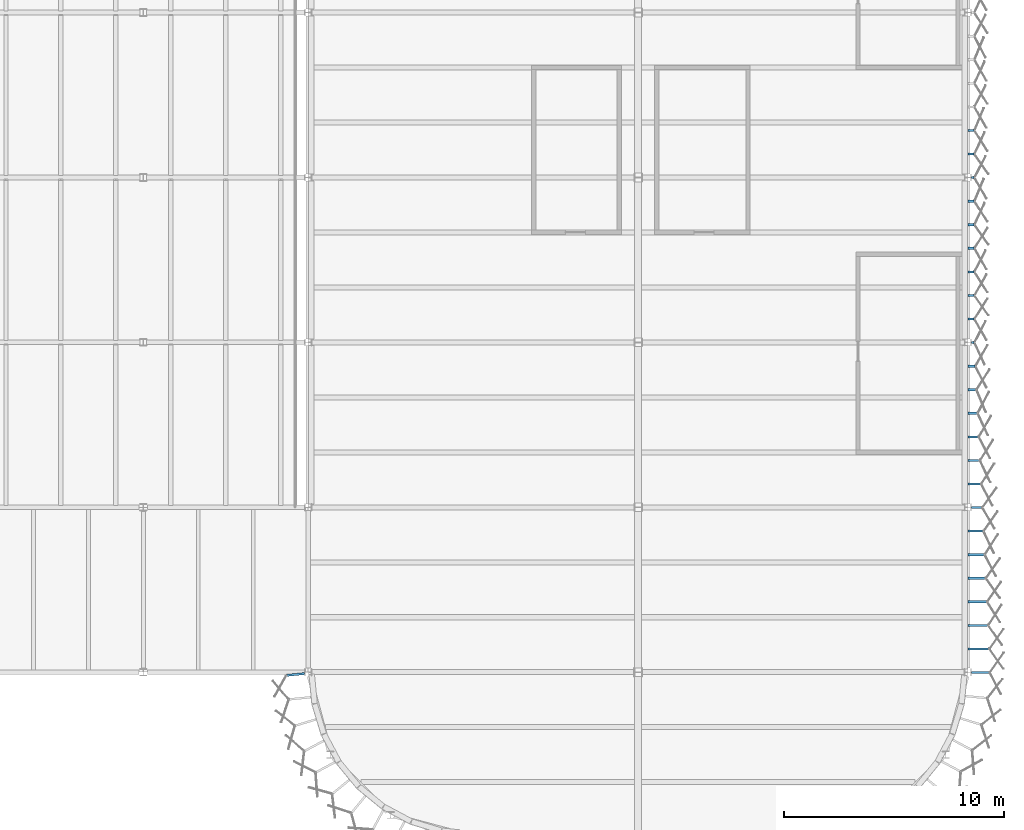
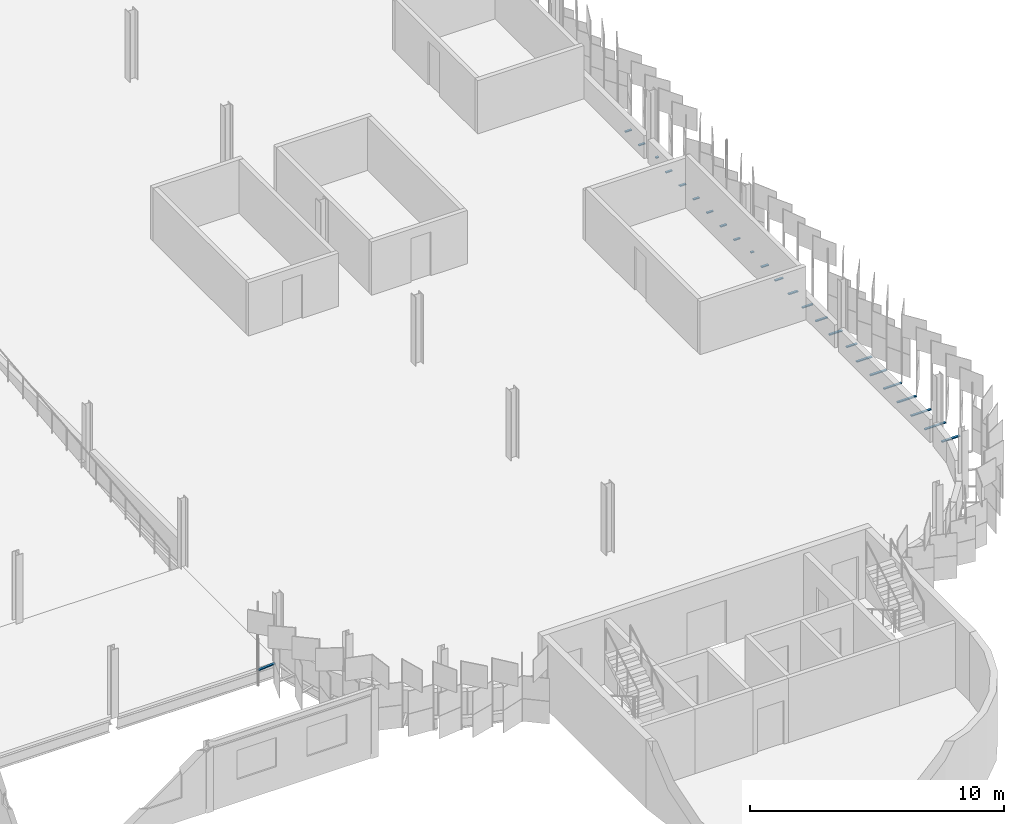
# One storey, part 167 of 198: 25 discrete accessories.
"""IFC4 building model written with IfcOpenShell, lengths in metres."""

from ifc_helpers import new_model, si_unit, direction, frame, origin, origin_2d, place, context, subcontext, project, spatial, rectangle, extrude, material, type_object, element, save


model = new_model("IFC4")

# Units and contexts
model_context = context("Model", 3, precision=1e-05, world=origin(), true_north=direction((0.0, 1.0)))
body_context = subcontext(model_context, "Body", "Model", "MODEL_VIEW")
ifc_project = project(units=[si_unit("LENGTHUNIT", "METRE"), si_unit("AREAUNIT", "SQUARE_METRE"), si_unit("VOLUMEUNIT", "CUBIC_METRE"), si_unit("PLANEANGLEUNIT", "RADIAN"), si_unit("MASSUNIT", "GRAM", prefix="KILO")], contexts=[model_context])

# Site, building, storey
site_placement = place(None, origin())
site = spatial("IfcSite", under=ifc_project, at=site_placement, CompositionType="ELEMENT")
building_placement = place(site_placement, origin())
building = spatial("IfcBuilding", under=site, at=building_placement, Name="Parallax Yard Mobility Hub", CompositionType="ELEMENT")
storey_placement = place(building_placement, frame((0.0, 0.0, 6.60009765625)))
storey = spatial("IfcBuildingStorey", under=building, at=storey_placement, Name="L02", CompositionType="ELEMENT", Elevation=6.60009765625)

# Discrete accessories
ifc_material = material(Name="Steel ASTM A36, hot-dip galvanised", Category="steel")
discrete_accessory_type = type_object("IfcDiscreteAccessoryType", Name="Hinge bracket plate 100x50", PredefinedType="BRACKET", material=ifc_material)
discrete_accessory_1_placement = place(storey_placement, frame((194.428955078125, 29.89794921875, -0.02490234375), z_axis=(0.0, 0.0, 1.0), x_axis=(-0.995184726672, -0.09801714033, 0.0)))
element("IfcDiscreteAccessory", 1, at=discrete_accessory_1_placement, inside=storey, type_object=discrete_accessory_type, Name="Hinge bracket plate bay 30.1 level L02", PredefinedType="BRACKET", context=body_context, shape_type="SweptSolid", body=[
    extrude(rectangle(XDim=0.810791015625, YDim=0.10009765625, at=origin_2d()), origin(), (0.0, 0.0, 1.0), 0.050048828125),
])
discrete_accessory_2_placement = place(storey_placement, frame((225.571044921875, 29.985595703125, -0.02490234375), z_axis=(0.0, 0.0, 1.0), x_axis=(1.0, 0.0, 0.0)))
element("IfcDiscreteAccessory", 2, at=discrete_accessory_2_placement, inside=storey, type_object=discrete_accessory_type, Name="Hinge bracket plate bay 33.1 level L02", PredefinedType="BRACKET", context=body_context, shape_type="SweptSolid", body=[
    extrude(rectangle(XDim=0.8251953125, YDim=0.10009765625, at=origin_2d()), origin(), (0.0, 0.0, 1.0), 0.050048828125),
])
discrete_accessory_3_placement = place(storey_placement, frame((225.4833984375, 31.057373046875, -0.02490234375), z_axis=(0.0, 0.0, 1.0), x_axis=(1.0, 0.0, 0.0)))
element("IfcDiscreteAccessory", 3, at=discrete_accessory_3_placement, inside=storey, type_object=discrete_accessory_type, Name="Hinge bracket plate bay 33.2 level L02", PredefinedType="BRACKET", context=body_context, shape_type="SweptSolid", body=[
    extrude(rectangle(XDim=0.968017578125, YDim=0.10009765625, at=origin_2d()), origin(), (0.0, 0.0, 1.0), 0.050048828125),
])
discrete_accessory_4_placement = place(storey_placement, frame((225.456787109375, 32.12890625, -0.02490234375), z_axis=(0.0, 0.0, 1.0), x_axis=(1.0, 0.0, 0.0)))
element("IfcDiscreteAccessory", 4, at=discrete_accessory_4_placement, inside=storey, type_object=discrete_accessory_type, Name="Hinge bracket plate bay 33.3 level L02", PredefinedType="BRACKET", context=body_context, shape_type="SweptSolid", body=[
    extrude(rectangle(XDim=0.91455078125, YDim=0.10009765625, at=origin_2d()), origin(), (0.0, 0.0, 1.0), 0.050048828125),
])
discrete_accessory_5_placement = place(storey_placement, frame((225.429931640625, 33.20068359375, -0.02490234375), z_axis=(0.0, 0.0, 1.0), x_axis=(1.0, 0.0, 0.0)))
element("IfcDiscreteAccessory", 5, at=discrete_accessory_5_placement, inside=storey, type_object=discrete_accessory_type, Name="Hinge bracket plate bay 33.4 level L02", PredefinedType="BRACKET", context=body_context, shape_type="SweptSolid", body=[
    extrude(rectangle(XDim=0.86083984375, YDim=0.10009765625, at=origin_2d()), origin(), (0.0, 0.0, 1.0), 0.050048828125),
])
discrete_accessory_6_placement = place(storey_placement, frame((225.4033203125, 34.2724609375, -0.02490234375), z_axis=(0.0, 0.0, 1.0), x_axis=(1.0, 0.0, 0.0)))
element("IfcDiscreteAccessory", 6, at=discrete_accessory_6_placement, inside=storey, type_object=discrete_accessory_type, Name="Hinge bracket plate bay 33.5 level L02", PredefinedType="BRACKET", context=body_context, shape_type="SweptSolid", body=[
    extrude(rectangle(XDim=0.807373046875, YDim=0.10009765625, at=origin_2d()), origin(), (0.0, 0.0, 1.0), 0.050048828125),
])
discrete_accessory_7_placement = place(storey_placement, frame((225.37646484375, 35.34423828125, -0.02490234375), z_axis=(0.0, 0.0, 1.0), x_axis=(1.0, 0.0, 0.0)))
element("IfcDiscreteAccessory", 7, at=discrete_accessory_7_placement, inside=storey, type_object=discrete_accessory_type, Name="Hinge bracket plate bay 33.6 level L02", PredefinedType="BRACKET", context=body_context, shape_type="SweptSolid", body=[
    extrude(rectangle(XDim=0.75390625, YDim=0.10009765625, at=origin_2d()), origin(), (0.0, 0.0, 1.0), 0.050048828125),
])
discrete_accessory_8_placement = place(storey_placement, frame((225.349609375, 36.416015625, -0.02490234375), z_axis=(0.0, 0.0, 1.0), x_axis=(1.0, 0.0, 0.0)))
element("IfcDiscreteAccessory", 8, at=discrete_accessory_8_placement, inside=storey, type_object=discrete_accessory_type, Name="Hinge bracket plate bay 33.7 level L02", PredefinedType="BRACKET", context=body_context, shape_type="SweptSolid", body=[
    extrude(rectangle(XDim=0.7001953125, YDim=0.10009765625, at=origin_2d()), origin(), (0.0, 0.0, 1.0), 0.050048828125),
])
discrete_accessory_9_placement = place(storey_placement, frame((225.399658203125, 37.487548828125, -0.02490234375), z_axis=(0.0, 0.0, 1.0), x_axis=(1.0, 0.0, 0.0)))
element("IfcDiscreteAccessory", 9, at=discrete_accessory_9_placement, inside=storey, type_object=discrete_accessory_type, Name="Hinge bracket plate bay 34.1 level L02", PredefinedType="BRACKET", context=body_context, shape_type="SweptSolid", body=[
    extrude(rectangle(XDim=0.4931640625, YDim=0.10009765625, at=origin_2d()), origin(), (0.0, 0.0, 1.0), 0.050048828125),
])
discrete_accessory_10_placement = place(storey_placement, frame((225.2958984375, 38.559326171875, -0.02490234375), z_axis=(0.0, 0.0, 1.0), x_axis=(1.0, 0.0, 0.0)))
element("IfcDiscreteAccessory", 10, at=discrete_accessory_10_placement, inside=storey, type_object=discrete_accessory_type, Name="Hinge bracket plate bay 34.2 level L02", PredefinedType="BRACKET", context=body_context, shape_type="SweptSolid", body=[
    extrude(rectangle(XDim=0.593017578125, YDim=0.10009765625, at=origin_2d()), origin(), (0.0, 0.0, 1.0), 0.050048828125),
])
discrete_accessory_11_placement = place(storey_placement, frame((225.269287109375, 39.631103515625, -0.02490234375), z_axis=(0.0, 0.0, 1.0), x_axis=(1.0, 0.0, 0.0)))
element("IfcDiscreteAccessory", 11, at=discrete_accessory_11_placement, inside=storey, type_object=discrete_accessory_type, Name="Hinge bracket plate bay 34.3 level L02", PredefinedType="BRACKET", context=body_context, shape_type="SweptSolid", body=[
    extrude(rectangle(XDim=0.53955078125, YDim=0.10009765625, at=origin_2d()), origin(), (0.0, 0.0, 1.0), 0.050048828125),
])
discrete_accessory_12_placement = place(storey_placement, frame((225.242431640625, 40.702880859375, -0.02490234375), z_axis=(0.0, 0.0, 1.0), x_axis=(1.0, 0.0, 0.0)))
element("IfcDiscreteAccessory", 12, at=discrete_accessory_12_placement, inside=storey, type_object=discrete_accessory_type, Name="Hinge bracket plate bay 34.4 level L02", PredefinedType="BRACKET", context=body_context, shape_type="SweptSolid", body=[
    extrude(rectangle(XDim=0.48583984375, YDim=0.10009765625, at=origin_2d()), origin(), (0.0, 0.0, 1.0), 0.050048828125),
])
discrete_accessory_13_placement = place(storey_placement, frame((225.2158203125, 41.774658203125, -0.02490234375), z_axis=(0.0, 0.0, 1.0), x_axis=(1.0, 0.0, 0.0)))
element("IfcDiscreteAccessory", 13, at=discrete_accessory_13_placement, inside=storey, type_object=discrete_accessory_type, Name="Hinge bracket plate bay 34.5 level L02", PredefinedType="BRACKET", context=body_context, shape_type="SweptSolid", body=[
    extrude(rectangle(XDim=0.432373046875, YDim=0.10009765625, at=origin_2d()), origin(), (0.0, 0.0, 1.0), 0.050048828125),
])
discrete_accessory_14_placement = place(storey_placement, frame((225.18896484375, 42.84619140625, -0.02490234375), z_axis=(0.0, 0.0, 1.0), x_axis=(1.0, 0.0, 0.0)))
element("IfcDiscreteAccessory", 14, at=discrete_accessory_14_placement, inside=storey, type_object=discrete_accessory_type, Name="Hinge bracket plate bay 34.6 level L02", PredefinedType="BRACKET", context=body_context, shape_type="SweptSolid", body=[
    extrude(rectangle(XDim=0.37890625, YDim=0.10009765625, at=origin_2d()), origin(), (0.0, 0.0, 1.0), 0.050048828125),
])
discrete_accessory_15_placement = place(storey_placement, frame((225.162109375, 43.91796875, -0.02490234375), z_axis=(0.0, 0.0, 1.0), x_axis=(1.0, 0.0, 0.0)))
element("IfcDiscreteAccessory", 15, at=discrete_accessory_15_placement, inside=storey, type_object=discrete_accessory_type, Name="Hinge bracket plate bay 34.7 level L02", PredefinedType="BRACKET", context=body_context, shape_type="SweptSolid", body=[
    extrude(rectangle(XDim=0.3251953125, YDim=0.10009765625, at=origin_2d()), origin(), (0.0, 0.0, 1.0), 0.050048828125),
])
discrete_accessory_16_placement = place(storey_placement, frame((225.21826171875, 44.98974609375, -0.02490234375), z_axis=(0.0, 0.0, 1.0), x_axis=(1.0, 0.0, 0.0)))
element("IfcDiscreteAccessory", 16, at=discrete_accessory_16_placement, inside=storey, type_object=discrete_accessory_type, Name="Hinge bracket plate bay 35.1 level L02", PredefinedType="BRACKET", context=body_context, shape_type="SweptSolid", body=[
    extrude(rectangle(XDim=0.130615234375, YDim=0.10009765625, at=origin_2d()), origin(), (0.0, 0.0, 1.0), 0.050048828125),
])
for number, where, z_axis, x_axis, name in (
    (17, (225.1416015625, 46.0615234375, -0.02490234375), (0.0, 0.0, 1.0), (1.0, 0.0, 0.0), "Hinge bracket plate bay 35.2 level L02"),
    (18, (225.1416015625, 47.13330078125, -0.02490234375), (0.0, 0.0, 1.0), (1.0, 0.0, 0.0), "Hinge bracket plate bay 35.3 level L02"),
    (19, (225.1416015625, 48.204833984375, -0.02490234375), (0.0, 0.0, 1.0), (1.0, 0.0, 0.0), "Hinge bracket plate bay 35.4 level L02"),
    (20, (225.1416015625, 49.276611328125, -0.02490234375), (0.0, 0.0, 1.0), (1.0, 0.0, 0.0), "Hinge bracket plate bay 35.5 level L02"),
    (21, (225.1416015625, 50.348388671875, -0.02490234375), (0.0, 0.0, 1.0), (1.0, 0.0, 0.0), "Hinge bracket plate bay 35.6 level L02"),
    (22, (225.1416015625, 51.420166015625, -0.02490234375), (0.0, 0.0, 1.0), (1.0, 0.0, 0.0), "Hinge bracket plate bay 35.7 level L02"),
):
    element("IfcDiscreteAccessory", number, at=place(storey_placement, frame(where, z_axis=z_axis, x_axis=x_axis)), inside=storey, type_object=discrete_accessory_type, Name=name, PredefinedType="BRACKET", context=body_context, shape_type="SweptSolid", body=[
        extrude(rectangle(XDim=0.2841796875, YDim=0.10009765625, at=origin_2d()), origin(), (0.0, 0.0, 1.0), 0.050048828125),
    ])
discrete_accessory_17_placement = place(storey_placement, frame((225.21826171875, 52.491943359375, -0.02490234375), z_axis=(0.0, 0.0, 1.0), x_axis=(1.0, 0.0, 0.0)))
element("IfcDiscreteAccessory", 23, at=discrete_accessory_17_placement, inside=storey, type_object=discrete_accessory_type, Name="Hinge bracket plate bay 36.1 level L02", PredefinedType="BRACKET", context=body_context, shape_type="SweptSolid", body=[
    extrude(rectangle(XDim=0.130615234375, YDim=0.10009765625, at=origin_2d()), origin(), (0.0, 0.0, 1.0), 0.050048828125),
])
for number, where, z_axis, x_axis, name in (
    (24, (225.1416015625, 53.563720703125, -0.02490234375), (0.0, 0.0, 1.0), (1.0, 0.0, 0.0), "Hinge bracket plate bay 36.2 level L02"),
    (25, (225.1416015625, 54.63525390625, -0.02490234375), (0.0, 0.0, 1.0), (1.0, 0.0, 0.0), "Hinge bracket plate bay 36.3 level L02"),
):
    element("IfcDiscreteAccessory", number, at=place(storey_placement, frame(where, z_axis=z_axis, x_axis=x_axis)), inside=storey, type_object=discrete_accessory_type, Name=name, PredefinedType="BRACKET", context=body_context, shape_type="SweptSolid", body=[
        extrude(rectangle(XDim=0.2841796875, YDim=0.10009765625, at=origin_2d()), origin(), (0.0, 0.0, 1.0), 0.050048828125),
    ])

save(model, "model.ifc")
